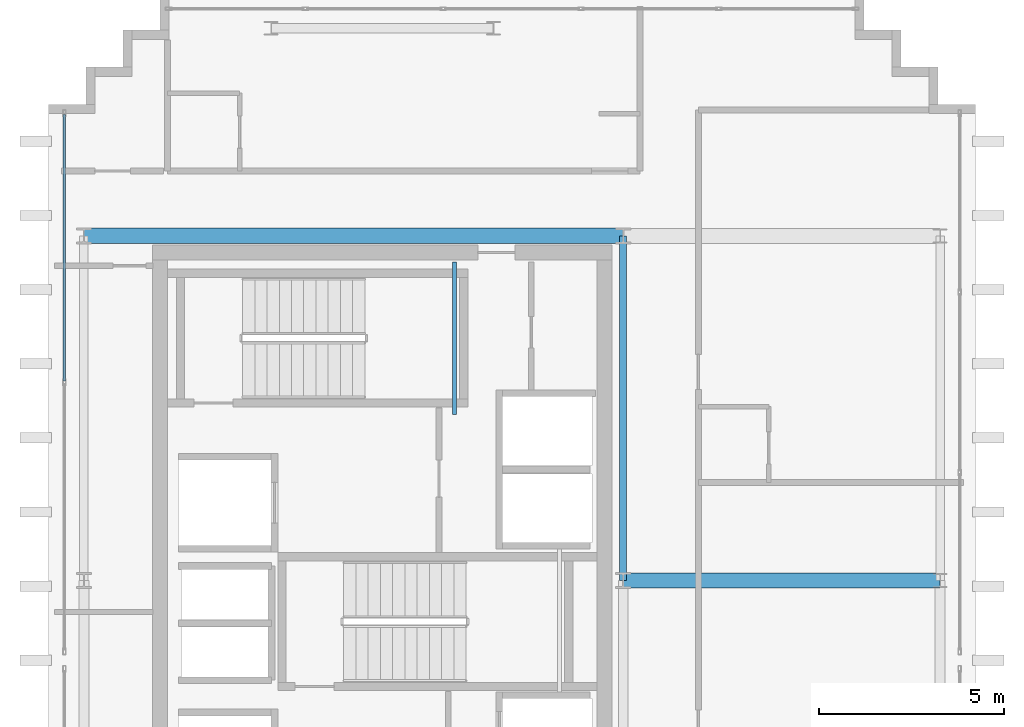
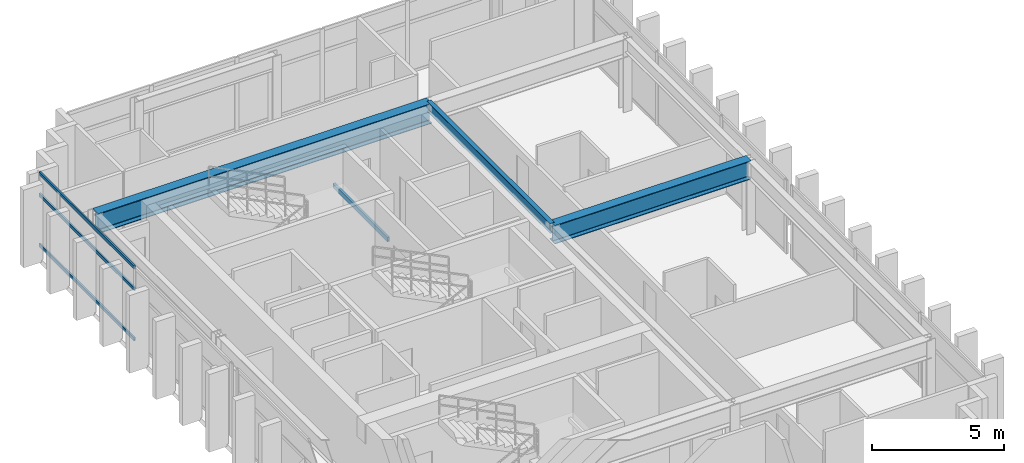
# One storey, part 7 of 15: 4 beams, 3 members, 1 element without a shape of its own.
"""IFC4 building model written with IfcOpenShell, lengths in metres."""

from ifc_helpers import new_model, si_unit, direction, frame, origin, origin_2d, place, context, subcontext, project, spatial, hollow_rectangle, i_section, extrude, source, transform, mapped, material, layer, layer_set, material_profile, profile_set, type_object, element, aggregate, save


model = new_model("IFC4")

# Units and contexts
model_context = context("Model", 3, precision=1e-05, world=origin(), true_north=direction((0.0, 1.0)))
body_context = subcontext(model_context, "Body", "Model", "MODEL_VIEW")
ifc_project = project(units=[si_unit("LENGTHUNIT", "METRE"), si_unit("AREAUNIT", "SQUARE_METRE"), si_unit("VOLUMEUNIT", "CUBIC_METRE"), si_unit("PLANEANGLEUNIT", "RADIAN"), si_unit("MASSUNIT", "GRAM", prefix="KILO")], contexts=[model_context])

# Site, building, storey
site_placement = place(None, origin())
site = spatial("IfcSite", under=ifc_project, at=site_placement, CompositionType="ELEMENT")
building_placement = place(site_placement, origin())
building = spatial("IfcBuilding", under=site, at=building_placement, Name="Ocotamira Hotel", CompositionType="ELEMENT")
storey_placement = place(building_placement, frame((0.0, 0.0, 276.0)))
storey = spatial("IfcBuildingStorey", under=building, at=storey_placement, Name="L70", CompositionType="ELEMENT", Elevation=276.0)

# Beams
ifc_material_1 = material(Name="Steel ASTM A500 Grade C", Category="steel")
ifc_material_profile_1 = material_profile(ifc_material_1, hollow_rectangle(XDim=0.10009765625, YDim=0.199951171875, WallThickness=0.008056640625, at=origin_2d()), Name="HSS200X100X8")
ifc_profile_set_1 = profile_set([ifc_material_profile_1], Name="Steel ASTM A500 Grade C")
beam_type_1 = type_object("IfcBeamType", Name="BM-STLDG-HSS200", PredefinedType="BEAM", material=ifc_profile_set_1)
shared_shape_1 = source(origin(), body_context, "Body", "SweptSolid", [
    extrude(hollow_rectangle(XDim=0.10009765625, YDim=0.199951171875, WallThickness=0.008056640625, at=origin_2d()), origin(), (0.0, 0.0, 1.0), 4.1201171875),
])
beam_1_placement = place(storey_placement, frame((18.949951171875, 32.6298828125, 1.5), z_axis=(0.0, 1.0, 0.0), x_axis=(-1.0, 0.0, 0.0)))
element("IfcBeam", 1, at=beam_1_placement, inside=storey, type_object=beam_type_1, Name="L70 Stair ST-2 Landing Bearer 1", PredefinedType="BEAM", context=body_context, shape_type="MappedRepresentation", body=[
    mapped(shared_shape_1, transform((0.0, 0.0, 0.0), scale=1.0)),
])
ifc_material_2 = material(Name="Steel ASTM A992 Grade 50", Category="steel")
ifc_material_profile_2 = material_profile(ifc_material_2, i_section(OverallWidth=0.41796875, OverallDepth=0.927001953125, WebThickness=0.019287109375, FlangeThickness=0.031982421875, FilletRadius=0.02392578125, at=origin_2d()), Name="W36X231")
ifc_profile_set_2 = profile_set([ifc_material_profile_2], Name="Steel ASTM A992 Grade 50")
beam_type_2 = type_object("IfcBeamType", Name="BM-GIRD-W36X231", PredefinedType="BEAM", material=ifc_profile_set_2)
shared_shape_2 = source(origin(), body_context, "Body", "SweptSolid", [
    extrude(i_section(OverallWidth=0.41796875, OverallDepth=0.927001953125, WebThickness=0.019287109375, FlangeThickness=0.031982421875, FilletRadius=0.02392578125, at=origin_2d()), origin(), (0.0, 0.0, 1.0), 14.550048828125),
])
beam_2_placement = place(storey_placement, frame((8.949951171875, 37.449951171875, 2.91650390625), z_axis=(1.0, 0.0, 0.0), x_axis=(0.0, 1.0, 0.0)))
element("IfcBeam", 2, at=beam_2_placement, inside=storey, type_object=beam_type_2, Name="L70 Girder Y37.45 X8.95-23.5", PredefinedType="BEAM", context=body_context, shape_type="MappedRepresentation", body=[
    mapped(shared_shape_2, transform((0.0, 0.0, 0.0), scale=1.0)),
])
ifc_material_profile_3 = material_profile(ifc_material_2, i_section(OverallWidth=0.18994140625, OverallDepth=0.45703125, WebThickness=0.009033203125, FlangeThickness=0.014404296875, FilletRadius=0.010009765625, at=origin_2d()), Name="W18X50")
ifc_profile_set_3 = profile_set([ifc_material_profile_3], Name="Steel ASTM A992 Grade 50")
beam_type_3 = type_object("IfcBeamType", Name="BM-SEC-W18X50", PredefinedType="JOIST", material=ifc_profile_set_3)
shared_shape_3 = source(origin(), body_context, "Body", "SweptSolid", [
    extrude(i_section(OverallWidth=0.18994140625, OverallDepth=0.45703125, WebThickness=0.009033203125, FlangeThickness=0.014404296875, FilletRadius=0.010009765625, at=origin_2d()), origin(), (0.0, 0.0, 1.0), 9.300048828125),
])
beam_3_placement = place(storey_placement, frame((23.5, 28.14990234375, 3.151611328125), z_axis=(0.0, 1.0, 0.0), x_axis=(-1.0, 0.0, 0.0)))
element("IfcBeam", 3, at=beam_3_placement, inside=storey, type_object=beam_type_3, Name="L70 Beam X23.5 Y28.15-37.45", PredefinedType="JOIST", context=body_context, shape_type="MappedRepresentation", body=[
    mapped(shared_shape_3, transform((0.0, 0.0, 0.0), scale=1.0)),
])
ifc_material_profile_4 = material_profile(ifc_material_2, i_section(OverallWidth=0.39990234375, OverallDepth=0.85595703125, WebThickness=0.018310546875, FlangeThickness=0.029296875, FilletRadius=0.02001953125, at=origin_2d()), Name="W33X201")
ifc_profile_set_4 = profile_set([ifc_material_profile_4], Name="Steel ASTM A992 Grade 50")
beam_type_4 = type_object("IfcBeamType", Name="BM-GIRD-W33X201", PredefinedType="BEAM", material=ifc_profile_set_4)
shared_shape_4 = source(origin(), body_context, "Body", "SweptSolid", [
    extrude(i_section(OverallWidth=0.39990234375, OverallDepth=0.85595703125, WebThickness=0.018310546875, FlangeThickness=0.029296875, FilletRadius=0.02001953125, at=origin_2d()), origin(), (0.0, 0.0, 1.0), 8.550048828125),
])
beam_4_placement = place(storey_placement, frame((23.5, 28.14990234375, 2.951904296875), z_axis=(1.0, 0.0, 0.0), x_axis=(0.0, 1.0, 0.0)))
element("IfcBeam", 4, at=beam_4_placement, inside=storey, type_object=beam_type_4, Name="L70 Girder Y28.15 X23.5-32.05", PredefinedType="BEAM", context=body_context, shape_type="MappedRepresentation", body=[
    mapped(shared_shape_4, transform((0.0, 0.0, 0.0), scale=1.0)),
])

# Curtain wall, members
ifc_material_3 = material(Name="Anodised pale-metal aluminium and solar glass", Category="aluminium")
ifc_layer = layer(ifc_material_3, 0.2099609375)
ifc_layer_set = layer_set([ifc_layer], Name="Anodised pale-metal aluminium and solar glass")
curtain_wall_type = type_object("IfcCurtainWallType", Name="CW-SYS7-PEAK", PredefinedType="NOTDEFINED", material=ifc_layer_set)
curtain_wall_placement = place(storey_placement, origin())
curtain_wall = element("IfcCurtainWall", 5, at=curtain_wall_placement, inside=storey, type_object=curtain_wall_type, Name="L70 Curtain Wall CW-7 CW-L70-W2", PredefinedType="NOTDEFINED")
ifc_material_4 = material(Name="Anodised pale-metal aluminium 6063-T6", Category="aluminium")
ifc_material_profile_5 = material_profile(ifc_material_4, hollow_rectangle(XDim=0.074951171875, YDim=0.14990234375, WallThickness=0.006103515625, at=origin_2d()), Name="HSS150X75X6")
ifc_profile_set_5 = profile_set([ifc_material_profile_5], Name="Anodised pale-metal aluminium 6063-T6")
member_type = type_object("IfcMemberType", Name="CWT-150X75", PredefinedType="USERDEFINED", material=ifc_profile_set_5)
shared_shape_5 = source(origin(), body_context, "Body", "SweptSolid", [
    extrude(hollow_rectangle(XDim=0.074951171875, YDim=0.14990234375, WallThickness=0.006103515625, at=origin_2d()), origin(), (0.0, 0.0, 1.0), 7.179931640625),
])
member_1_placement = place(storey_placement, frame((8.419921875, 33.5400390625, 0.03759765625), z_axis=(0.0, 1.0, 0.0), x_axis=(-1.0, 0.0, 0.0)))
member_1 = element("IfcMember", 6, at=member_1_placement, type_object=member_type, Name="CW-7 transom 2.1", ObjectType="TRANSOM", PredefinedType="USERDEFINED", context=body_context, shape_type="MappedRepresentation", body=[
    mapped(shared_shape_5, transform((0.0, 0.0, 0.0), scale=1.0)),
])
member_2_placement = place(storey_placement, frame((8.419921875, 33.5400390625, 2.35009765625), z_axis=(0.0, 1.0, 0.0), x_axis=(-1.0, 0.0, 0.0)))
member_2 = element("IfcMember", 7, at=member_2_placement, type_object=member_type, Name="CW-7 transom 2.2", ObjectType="TRANSOM", PredefinedType="USERDEFINED", context=body_context, shape_type="MappedRepresentation", body=[
    mapped(shared_shape_5, transform((0.0, 0.0, 0.0), scale=1.0)),
])
member_3_placement = place(storey_placement, frame((8.419921875, 33.5400390625, 3.342529296875), z_axis=(0.0, 1.0, 0.0), x_axis=(-1.0, 0.0, 0.0)))
member_3 = element("IfcMember", 8, at=member_3_placement, type_object=member_type, Name="CW-7 transom 2.3", ObjectType="TRANSOM", PredefinedType="USERDEFINED", context=body_context, shape_type="MappedRepresentation", body=[
    mapped(shared_shape_5, transform((0.0, 0.0, 0.0), scale=1.0)),
])
aggregate(curtain_wall, [member_1, member_2, member_3])

save(model, "model.ifc")
